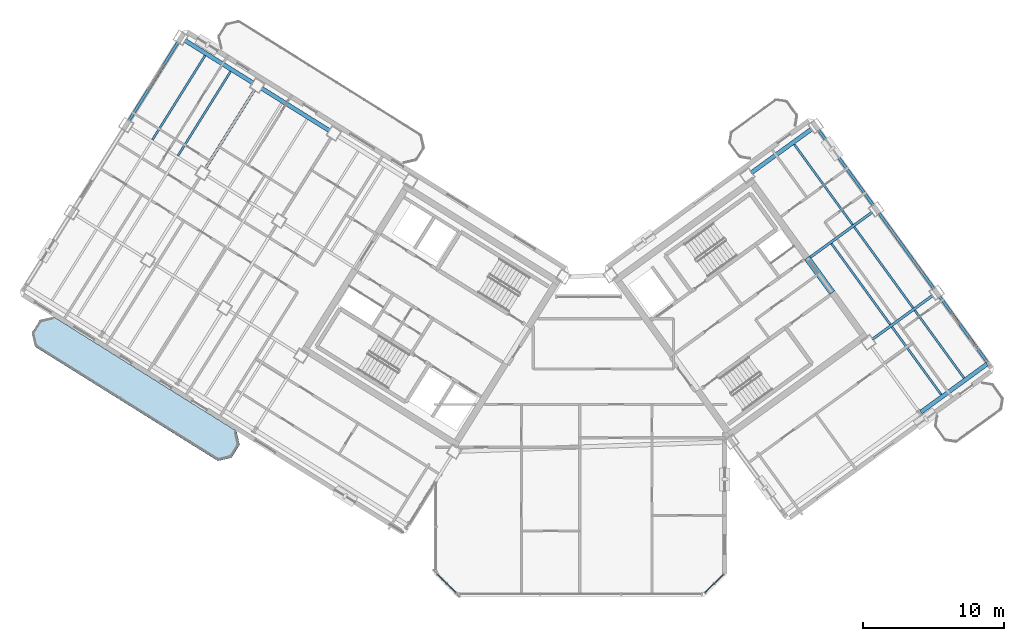
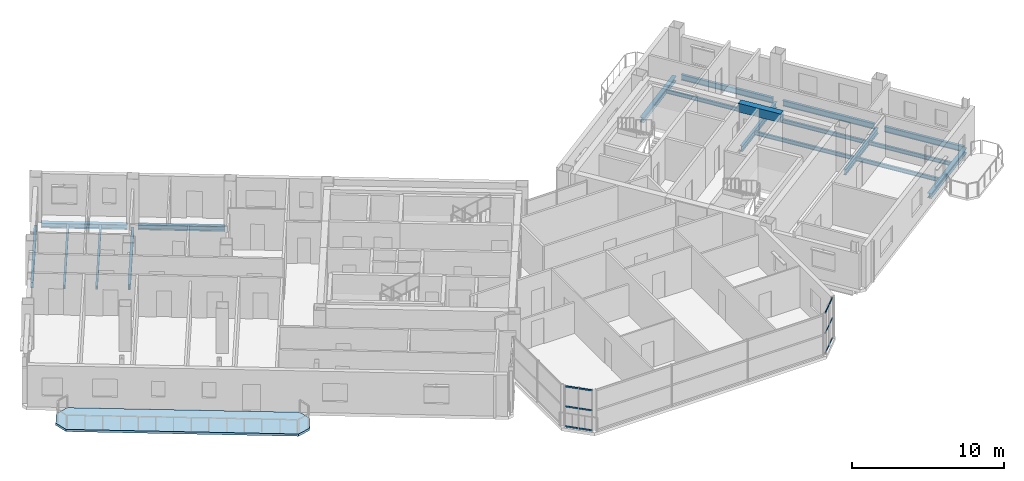
# One storey, part 13 of 27: 19 beams, 12 members, 1 slab, 2 elements without a shape of their own.
"""IFC4 building model written with IfcOpenShell, lengths in metres."""

from ifc_helpers import new_model, si_unit, direction, frame, origin, origin_2d, place, context, subcontext, project, spatial, polyline, rectangle, hollow_rectangle, i_section, outline, extrude, source, transform, mapped, material, layer, layer_set, material_profile, profile_set, type_object, element, aggregate, save


model = new_model("IFC4")

# Units and contexts
model_context = context("Model", 3, precision=1e-05, world=origin(), true_north=direction((0.0, 1.0)))
body_context = subcontext(model_context, "Body", "Model", "MODEL_VIEW")
ifc_project = project(units=[si_unit("LENGTHUNIT", "METRE"), si_unit("AREAUNIT", "SQUARE_METRE"), si_unit("VOLUMEUNIT", "CUBIC_METRE"), si_unit("PLANEANGLEUNIT", "RADIAN"), si_unit("MASSUNIT", "GRAM", prefix="KILO")], contexts=[model_context])

# Site, building, storey
site_placement = place(None, origin())
site = spatial("IfcSite", under=ifc_project, at=site_placement, CompositionType="ELEMENT")
building_placement = place(site_placement, origin())
building = spatial("IfcBuilding", under=site, at=building_placement, Name="Tlacorven Tower", CompositionType="ELEMENT")
storey_placement = place(building_placement, frame((0.0, 0.0, 242.10009765625)))
storey = spatial("IfcBuildingStorey", under=building, at=storey_placement, Name="L61", CompositionType="ELEMENT", Elevation=242.10009765625)

# Beams
ifc_material_1 = material(Name="Concrete C60/75", Category="concrete")
ifc_material_profile_1 = material_profile(ifc_material_1, rectangle(XDim=0.449951171875, YDim=0.699951171875, at=origin_2d()), Name="RC 450X700")
ifc_profile_set_1 = profile_set([ifc_material_profile_1], Name="Concrete C60/75")
beam_type_1 = type_object("IfcBeamType", Name="BM-LNT-700", PredefinedType="LINTEL", material=ifc_profile_set_1)
shared_shape_1 = source(origin(), body_context, "Body", "SweptSolid", [
    extrude(rectangle(XDim=0.449951171875, YDim=0.699951171875, at=origin_2d()), origin(), (0.0, 0.0, 1.0), 3.050048828125),
])
beam_1_placement = place(storey_placement, frame((59.856689453125, 23.345947265625, 2.969970703125), z_axis=(-0.587776590479, 0.80902328748, 0.0), x_axis=(-0.80902328748, -0.587776590479, 0.0)))
element("IfcBeam", 1, at=beam_1_placement, inside=storey, type_object=beam_type_1, Name="L61 E core coupling lintel beam E2", PredefinedType="LINTEL", context=body_context, shape_type="MappedRepresentation", body=[
    mapped(shared_shape_1, transform((0.0, 0.0, 0.0), scale=1.0)),
])
ifc_material_2 = material(Name="Steel S355J2", Category="steel")
ifc_material_profile_2 = material_profile(ifc_material_2, i_section(OverallWidth=0.300048828125, OverallDepth=0.389892578125, WebThickness=0.010986328125, FlangeThickness=0.01904296875, at=origin_2d()), Name="HEA 400")
ifc_profile_set_2 = profile_set([ifc_material_profile_2], Name="Steel S355J2")
beam_type_2 = type_object("IfcBeamType", Name="BM-SPN-400", PredefinedType="SPANDREL", material=ifc_profile_set_2)
shared_shape_2 = source(origin(), body_context, "Body", "SweptSolid", [
    extrude(i_section(OverallWidth=0.300048828125, OverallDepth=0.389892578125, WebThickness=0.010986328125, FlangeThickness=0.01904296875, at=origin_2d()), origin(), (0.0, 0.0, 1.0), 5.7001953125),
])
for number, where, z_axis, x_axis, name in (
    (2, (24.20361328125, 34.828369140625, -0.445068359375), (-0.848056048787, 0.529906537151, 0.0), (-0.529906537151, -0.848056048787, 0.0), "L61 beam BM-L61-WL1-4"),
    (3, (18.776123046875, 38.2197265625, -0.445068359375), (-0.848056048787, 0.529906537151, 0.0), (-0.529906537151, -0.848056048787, 0.0), "L61 beam BM-L61-WL1-5"),
):
    element("IfcBeam", number, at=place(storey_placement, frame(where, z_axis=z_axis, x_axis=x_axis)), inside=storey, type_object=beam_type_2, Name=name, PredefinedType="SPANDREL", context=body_context, shape_type="MappedRepresentation", body=[
        mapped(shared_shape_2, transform((0.0, 0.0, 0.0), scale=1.0)),
    ])
shared_shape_3 = source(origin(), body_context, "Body", "SweptSolid", [
    extrude(i_section(OverallWidth=0.300048828125, OverallDepth=0.389892578125, WebThickness=0.010986328125, FlangeThickness=0.01904296875, at=origin_2d()), origin(), (0.0, 0.0, 1.0), 5.300048828125),
])
beam_2_placement = place(storey_placement, frame((54.114990234375, 31.84423828125, -0.445068359375), z_axis=(0.809022830186, 0.587777219904, 0.0), x_axis=(-0.587777219904, 0.809022830186, 0.0)))
element("IfcBeam", 4, at=beam_2_placement, inside=storey, type_object=beam_type_2, Name="L61 beam BM-L61-EL4-3", PredefinedType="SPANDREL", context=body_context, shape_type="MappedRepresentation", body=[
    mapped(shared_shape_3, transform((0.0, 0.0, 0.0), scale=1.0)),
])
shared_shape_4 = source(origin(), body_context, "Body", "SweptSolid", [
    extrude(i_section(OverallWidth=0.300048828125, OverallDepth=0.389892578125, WebThickness=0.010986328125, FlangeThickness=0.01904296875, at=origin_2d()), origin(), (0.0, 0.0, 1.0), 5.800048828125),
])
beam_3_placement = place(storey_placement, frame((66.138671875, 14.86962890625, -0.445068359375), z_axis=(0.809019944521, 0.587781191743, 0.0), x_axis=(-0.587781191743, 0.809019944521, 0.0)))
element("IfcBeam", 5, at=beam_3_placement, inside=storey, type_object=beam_type_2, Name="L61 beam BM-L61-EL1-3", PredefinedType="SPANDREL", context=body_context, shape_type="MappedRepresentation", body=[
    mapped(shared_shape_4, transform((0.0, 0.0, 0.0), scale=1.0)),
])
ifc_material_profile_3 = material_profile(ifc_material_2, i_section(OverallWidth=0.14990234375, OverallDepth=0.300048828125, WebThickness=0.007080078125, FlangeThickness=0.0107421875, at=origin_2d()), Name="IPE 300")
ifc_profile_set_3 = profile_set([ifc_material_profile_3], Name="Steel S355J2")
beam_type_3 = type_object("IfcBeamType", Name="BM-JST-300", PredefinedType="JOIST", material=ifc_profile_set_3)
shared_shape_5 = source(origin(), body_context, "Body", "SweptSolid", [
    extrude(i_section(OverallWidth=0.14990234375, OverallDepth=0.300048828125, WebThickness=0.007080078125, FlangeThickness=0.0107421875, at=origin_2d()), origin(), (0.0, 0.0, 1.0), 7.10009765625),
])
for number, where, z_axis, x_axis, name in (
    (6, (63.972900390625, 21.083251953125, -0.400146484375), (-0.587783168305, 0.809018508476, 0.0), (-0.809018508476, -0.587783168305, 0.0), "L61 beam BM-L61-EJ3-2-1"),
    (7, (65.5908203125, 22.2587890625, -0.400146484375), (-0.587760662035, 0.809034859672, 0.0), (-0.809034859672, -0.587760662035, 0.0), "L61 beam BM-L61-EJ3-2-2"),
):
    element("IfcBeam", number, at=place(storey_placement, frame(where, z_axis=z_axis, x_axis=x_axis)), inside=storey, type_object=beam_type_3, Name=name, PredefinedType="JOIST", context=body_context, shape_type="MappedRepresentation", body=[
        mapped(shared_shape_5, transform((0.0, 0.0, 0.0), scale=1.0)),
    ])
ifc_material_profile_4 = material_profile(ifc_material_2, i_section(OverallWidth=0.18994140625, OverallDepth=0.449951171875, WebThickness=0.009521484375, FlangeThickness=0.0146484375, at=origin_2d()), Name="IPE 450")
ifc_profile_set_4 = profile_set([ifc_material_profile_4], Name="Steel S355J2")
beam_type_4 = type_object("IfcBeamType", Name="BM-TWR-450", PredefinedType="BEAM", material=ifc_profile_set_4)
shared_shape_6 = source(origin(), body_context, "Body", "SweptSolid", [
    extrude(i_section(OverallWidth=0.18994140625, OverallDepth=0.449951171875, WebThickness=0.009521484375, FlangeThickness=0.0146484375, at=origin_2d()), origin(), (0.0, 0.0, 1.0), 5.75),
])
beam_4_placement = place(storey_placement, frame((70.853271484375, 18.41845703125, -0.47509765625), z_axis=(-0.587797998499, 0.80900773356, 0.0), x_axis=(-0.80900773356, -0.587797998499, 0.0)))
element("IfcBeam", 8, at=beam_4_placement, inside=storey, type_object=beam_type_4, Name="L61 beam BM-L61-ET4-1", PredefinedType="BEAM", context=body_context, shape_type="MappedRepresentation", body=[
    mapped(shared_shape_6, transform((0.0, 0.0, 0.0), scale=1.0)),
])
shared_shape_7 = source(origin(), body_context, "Body", "SweptSolid", [
    extrude(i_section(OverallWidth=0.18994140625, OverallDepth=0.449951171875, WebThickness=0.009521484375, FlangeThickness=0.0146484375, at=origin_2d()), origin(), (0.0, 0.0, 1.0), 6.599853515625),
])
beam_5_placement = place(storey_placement, frame((13.4599609375, 41.12890625, -0.47509765625), z_axis=(-0.529942412256, -0.848033631227, 0.0), x_axis=(0.848033631227, -0.529942412256, 0.0)))
element("IfcBeam", 9, at=beam_5_placement, inside=storey, type_object=beam_type_4, Name="L61 beam BM-L61-WT6-1", PredefinedType="BEAM", context=body_context, shape_type="MappedRepresentation", body=[
    mapped(shared_shape_7, transform((0.0, 0.0, 0.0), scale=1.0)),
])
shared_shape_8 = source(origin(), body_context, "Body", "SweptSolid", [
    extrude(i_section(OverallWidth=0.18994140625, OverallDepth=0.449951171875, WebThickness=0.009521484375, FlangeThickness=0.0146484375, at=origin_2d()), origin(), (0.0, 0.0, 1.0), 6.60009765625),
])
for number, where, z_axis, x_axis, name in (
    (10, (18.887451171875, 37.737548828125, -0.47509765625), (-0.529925788294, -0.848044019436, 0.0), (0.848044019436, -0.529925788294, 0.0), "L61 beam BM-L61-WT5-1"),
    (11, (67.06201171875, 23.63671875, -0.47509765625), (-0.587780128583, 0.809020716943, 0.0), (-0.809020716943, -0.587780128583, 0.0), "L61 beam BM-L61-ET4-2"),
    (12, (62.771240234375, 29.54248046875, -0.47509765625), (-0.587780128583, 0.809020716943, 0.0), (-0.809020716943, -0.587780128583, 0.0), "L61 beam BM-L61-ET4-3"),
):
    element("IfcBeam", number, at=place(storey_placement, frame(where, z_axis=z_axis, x_axis=x_axis)), inside=storey, type_object=beam_type_4, Name=name, PredefinedType="BEAM", context=body_context, shape_type="MappedRepresentation", body=[
        mapped(shared_shape_8, transform((0.0, 0.0, 0.0), scale=1.0)),
    ])
shared_shape_9 = source(origin(), body_context, "Body", "SweptSolid", [
    extrude(i_section(OverallWidth=0.14990234375, OverallDepth=0.300048828125, WebThickness=0.007080078125, FlangeThickness=0.0107421875, at=origin_2d()), origin(), (0.0, 0.0, 1.0), 7.044921875),
])
for number, where, z_axis, x_axis, name in (
    (13, (17.181640625, 39.033447265625, -0.400146484375), (-0.529899256491, -0.848060598053, 0.0), (0.848060598053, -0.529899256491, 0.0), "L61 beam BM-L61-WJ5-1-1"),
    (14, (15.372314453125, 40.163818359375, -0.400146484375), (-0.52991483005, -0.848050866925, 0.0), (0.848050866925, -0.52991483005, 0.0), "L61 beam BM-L61-WJ5-1-2"),
    (15, (61.300048828125, 28.164794921875, -0.400146484375), (-0.587782183052, 0.8090192243, 0.0), (-0.8090192243, -0.587782183052, 0.0), "L61 beam BM-L61-EJ3-3-2"),
):
    element("IfcBeam", number, at=place(storey_placement, frame(where, z_axis=z_axis, x_axis=x_axis)), inside=storey, type_object=beam_type_3, Name=name, PredefinedType="JOIST", context=body_context, shape_type="MappedRepresentation", body=[
        mapped(shared_shape_9, transform((0.0, 0.0, 0.0), scale=1.0)),
    ])
shared_shape_10 = source(origin(), body_context, "Body", "SweptSolid", [
    extrude(i_section(OverallWidth=0.14990234375, OverallDepth=0.300048828125, WebThickness=0.007080078125, FlangeThickness=0.0107421875, at=origin_2d()), origin(), (0.0, 0.0, 1.0), 5.945068359375),
])
for number, where, z_axis, x_axis, name in (
    (16, (67.584716796875, 16.11181640625, -0.400146484375), (-0.587788268014, 0.809014803317, 0.0), (-0.809014803317, -0.587788268014, 0.0), "L61 beam BM-L61-EJ3-1-1"),
    (17, (69.202880859375, 17.287353515625, -0.400146484375), (-0.587768740048, 0.809028990965, 0.0), (-0.809028990965, -0.587768740048, 0.0), "L61 beam BM-L61-EJ3-1-2"),
):
    element("IfcBeam", number, at=place(storey_placement, frame(where, z_axis=z_axis, x_axis=x_axis)), inside=storey, type_object=beam_type_3, Name=name, PredefinedType="JOIST", context=body_context, shape_type="MappedRepresentation", body=[
        mapped(shared_shape_10, transform((0.0, 0.0, 0.0), scale=1.0)),
    ])
shared_shape_11 = source(origin(), body_context, "Body", "SweptSolid", [
    extrude(i_section(OverallWidth=0.18994140625, OverallDepth=0.449951171875, WebThickness=0.009521484375, FlangeThickness=0.0146484375, at=origin_2d()), origin(), (0.0, 0.0, 1.0), 5.300048828125),
])
beam_6_placement = place(storey_placement, frame((62.69677734375, 20.032470703125, -0.47509765625), z_axis=(0.809022830186, 0.587777219904, 0.0), x_axis=(-0.587777219904, 0.809022830186, 0.0)))
element("IfcBeam", 18, at=beam_6_placement, inside=storey, type_object=beam_type_4, Name="L61 beam BM-L61-EL2-3", PredefinedType="BEAM", context=body_context, shape_type="MappedRepresentation", body=[
    mapped(shared_shape_11, transform((0.0, 0.0, 0.0), scale=1.0)),
])
shared_shape_12 = source(origin(), body_context, "Body", "SweptSolid", [
    extrude(i_section(OverallWidth=0.18994140625, OverallDepth=0.449951171875, WebThickness=0.009521484375, FlangeThickness=0.0146484375, at=origin_2d()), origin(), (0.0, 0.0, 1.0), 5.6103515625),
])
beam_7_placement = place(storey_placement, frame((58.155029296875, 25.756103515625, -0.47509765625), z_axis=(0.809020142627, 0.587780919071, 0.0), x_axis=(-0.587780919071, 0.809020142627, 0.0)))
element("IfcBeam", 19, at=beam_7_placement, inside=storey, type_object=beam_type_4, Name="L61 beam BM-L61-EL3-3", PredefinedType="BEAM", context=body_context, shape_type="MappedRepresentation", body=[
    mapped(shared_shape_12, transform((0.0, 0.0, 0.0), scale=1.0)),
])

# Curtain wall, members
ifc_material_3 = material(Name="Dark solar low-E double glazing in aluminium frame", Category="aluminium")
curtain_wall_type = type_object("IfcCurtainWallType", Name="CW-TWR-HIGH", PredefinedType="USERDEFINED", material=ifc_material_3)
curtain_wall_1_placement = place(storey_placement, origin())
curtain_wall_1 = element("IfcCurtainWall", 20, at=curtain_wall_1_placement, inside=storey, type_object=curtain_wall_type, Name="L61 CW-TWR-HIGH Curtain Wall 278", ObjectType="UNITISED CURTAIN WALL", PredefinedType="USERDEFINED")
ifc_material_4 = material(Name="Aluminium 6063-T6 anodised", Category="aluminium")
ifc_material_profile_5 = material_profile(ifc_material_4, hollow_rectangle(XDim=0.054931640625, YDim=0.1201171875, WallThickness=0.00341796875, at=origin_2d()), Name="ALU TRANSOM 55X120")
ifc_profile_set_5 = profile_set([ifc_material_profile_5], Name="Aluminium 6063-T6 anodised")
member_type = type_object("IfcMemberType", Name="CWT-03", PredefinedType="USERDEFINED", material=ifc_profile_set_5)
shared_shape_13 = source(origin(), body_context, "Body", "SweptSolid", [
    extrude(hollow_rectangle(XDim=0.054931640625, YDim=0.1201171875, WallThickness=0.00341796875, at=origin_2d()), origin(), (0.0, 0.0, 1.0), 0.899169921875),
])
member_1_placement = place(storey_placement, frame((52.13525390625, 3.361572265625, 0.059814453125), z_axis=(-0.707106781187, -0.707106781187, 0.0), x_axis=(0.707106781187, -0.707106781187, 0.0)))
member_1 = element("IfcMember", 21, at=member_1_placement, type_object=member_type, Name="CW-L61-278 Transom 1", ObjectType="TRANSOM", PredefinedType="USERDEFINED", context=body_context, shape_type="MappedRepresentation", body=[
    mapped(shared_shape_13, transform((0.0, 0.0, 0.0), scale=1.0)),
])
member_2_placement = place(storey_placement, frame((52.13525390625, 3.361572265625, 1.659912109375), z_axis=(-0.707106781187, -0.707106781187, 0.0), x_axis=(0.707106781187, -0.707106781187, 0.0)))
member_2 = element("IfcMember", 22, at=member_2_placement, type_object=member_type, Name="CW-L61-278 Transom 2", ObjectType="TRANSOM", PredefinedType="USERDEFINED", context=body_context, shape_type="MappedRepresentation", body=[
    mapped(shared_shape_13, transform((0.0, 0.0, 0.0), scale=1.0)),
])
member_3_placement = place(storey_placement, frame((52.13525390625, 3.361572265625, 3.260009765625), z_axis=(-0.707106781187, -0.707106781187, 0.0), x_axis=(0.707106781187, -0.707106781187, 0.0)))
member_3 = element("IfcMember", 23, at=member_3_placement, type_object=member_type, Name="CW-L61-278 Transom 3", ObjectType="TRANSOM", PredefinedType="USERDEFINED", context=body_context, shape_type="MappedRepresentation", body=[
    mapped(shared_shape_13, transform((0.0, 0.0, 0.0), scale=1.0)),
])
member_4_placement = place(storey_placement, frame((51.47412109375, 2.700439453125, 0.059814453125), z_axis=(-0.707106781187, -0.707106781187, 0.0), x_axis=(0.707106781187, -0.707106781187, 0.0)))
member_4 = element("IfcMember", 24, at=member_4_placement, type_object=member_type, Name="CW-L61-278 Transom 4", ObjectType="TRANSOM", PredefinedType="USERDEFINED", context=body_context, shape_type="MappedRepresentation", body=[
    mapped(shared_shape_13, transform((0.0, 0.0, 0.0), scale=1.0)),
])
member_5_placement = place(storey_placement, frame((51.47412109375, 2.700439453125, 1.659912109375), z_axis=(-0.707106781187, -0.707106781187, 0.0), x_axis=(0.707106781187, -0.707106781187, 0.0)))
member_5 = element("IfcMember", 25, at=member_5_placement, type_object=member_type, Name="CW-L61-278 Transom 5", ObjectType="TRANSOM", PredefinedType="USERDEFINED", context=body_context, shape_type="MappedRepresentation", body=[
    mapped(shared_shape_13, transform((0.0, 0.0, 0.0), scale=1.0)),
])
member_6_placement = place(storey_placement, frame((51.47412109375, 2.700439453125, 3.260009765625), z_axis=(-0.707106781187, -0.707106781187, 0.0), x_axis=(0.707106781187, -0.707106781187, 0.0)))
member_6 = element("IfcMember", 26, at=member_6_placement, type_object=member_type, Name="CW-L61-278 Transom 6", ObjectType="TRANSOM", PredefinedType="USERDEFINED", context=body_context, shape_type="MappedRepresentation", body=[
    mapped(shared_shape_13, transform((0.0, 0.0, 0.0), scale=1.0)),
])
aggregate(curtain_wall_1, [member_1, member_2, member_3, member_4, member_5, member_6])

curtain_wall_2_placement = place(storey_placement, origin())
curtain_wall_2 = element("IfcCurtainWall", 27, at=curtain_wall_2_placement, inside=storey, type_object=curtain_wall_type, Name="L61 CW-TWR-HIGH Curtain Wall 280", ObjectType="UNITISED CURTAIN WALL", PredefinedType="USERDEFINED")
member_7_placement = place(storey_placement, frame((33.16162109375, 2.064697265625, 0.059814453125), z_axis=(-0.707106781187, 0.707106781187, 0.0), x_axis=(-0.707106781187, -0.707106781187, 0.0)))
member_7 = element("IfcMember", 28, at=member_7_placement, type_object=member_type, Name="CW-L61-280 Transom 1", ObjectType="TRANSOM", PredefinedType="USERDEFINED", context=body_context, shape_type="MappedRepresentation", body=[
    mapped(shared_shape_13, transform((0.0, 0.0, 0.0), scale=1.0)),
])
member_8_placement = place(storey_placement, frame((33.16162109375, 2.064697265625, 1.659912109375), z_axis=(-0.707106781187, 0.707106781187, 0.0), x_axis=(-0.707106781187, -0.707106781187, 0.0)))
member_8 = element("IfcMember", 29, at=member_8_placement, type_object=member_type, Name="CW-L61-280 Transom 2", ObjectType="TRANSOM", PredefinedType="USERDEFINED", context=body_context, shape_type="MappedRepresentation", body=[
    mapped(shared_shape_13, transform((0.0, 0.0, 0.0), scale=1.0)),
])
member_9_placement = place(storey_placement, frame((33.16162109375, 2.064697265625, 3.260009765625), z_axis=(-0.707106781187, 0.707106781187, 0.0), x_axis=(-0.707106781187, -0.707106781187, 0.0)))
member_9 = element("IfcMember", 30, at=member_9_placement, type_object=member_type, Name="CW-L61-280 Transom 3", ObjectType="TRANSOM", PredefinedType="USERDEFINED", context=body_context, shape_type="MappedRepresentation", body=[
    mapped(shared_shape_13, transform((0.0, 0.0, 0.0), scale=1.0)),
])
member_10_placement = place(storey_placement, frame((32.50048828125, 2.725830078125, 0.059814453125), z_axis=(-0.707106781187, 0.707106781187, 0.0), x_axis=(-0.707106781187, -0.707106781187, 0.0)))
member_10 = element("IfcMember", 31, at=member_10_placement, type_object=member_type, Name="CW-L61-280 Transom 4", ObjectType="TRANSOM", PredefinedType="USERDEFINED", context=body_context, shape_type="MappedRepresentation", body=[
    mapped(shared_shape_13, transform((0.0, 0.0, 0.0), scale=1.0)),
])
member_11_placement = place(storey_placement, frame((32.50048828125, 2.725830078125, 1.659912109375), z_axis=(-0.707106781187, 0.707106781187, 0.0), x_axis=(-0.707106781187, -0.707106781187, 0.0)))
member_11 = element("IfcMember", 32, at=member_11_placement, type_object=member_type, Name="CW-L61-280 Transom 5", ObjectType="TRANSOM", PredefinedType="USERDEFINED", context=body_context, shape_type="MappedRepresentation", body=[
    mapped(shared_shape_13, transform((0.0, 0.0, 0.0), scale=1.0)),
])
member_12_placement = place(storey_placement, frame((32.50048828125, 2.725830078125, 3.260009765625), z_axis=(-0.707106781187, 0.707106781187, 0.0), x_axis=(-0.707106781187, -0.707106781187, 0.0)))
member_12 = element("IfcMember", 33, at=member_12_placement, type_object=member_type, Name="CW-L61-280 Transom 6", ObjectType="TRANSOM", PredefinedType="USERDEFINED", context=body_context, shape_type="MappedRepresentation", body=[
    mapped(shared_shape_13, transform((0.0, 0.0, 0.0), scale=1.0)),
])
aggregate(curtain_wall_2, [member_7, member_8, member_9, member_10, member_11, member_12])

# Slab
ifc_material_5 = material(Name="Precast concrete C45/55", Category="concrete")
ifc_layer = layer(ifc_material_5, 0.179931640625)
ifc_layer_set = layer_set([ifc_layer], Name="Precast concrete C45/55")
slab_type = type_object("IfcSlabType", Name="SL-BAL-180", PredefinedType="USERDEFINED", material=ifc_layer_set)
slab_placement = place(storey_placement, frame((0.0, 0.0, -0.18017578125)))
element("IfcSlab", 34, at=slab_placement, inside=storey, type_object=slab_type, Name="L61 West Wing Balcony Ribbon OUT", ObjectType="BALCONY SLAB", PredefinedType="USERDEFINED", context=body_context, shape_type="SweptSolid", body=[
    extrude(outline(polyline([(17.601318359375, 13.52490234375), (4.626220703125, 21.632568359375), (3.66162109375, 21.409912109375), (3.081298828125, 20.4814453125), (3.303955078125, 19.516845703125), (16.279052734375, 11.408935546875), (17.24365234375, 11.6318359375), (17.823974609375, 12.560302734375), (17.601318359375, 13.52490234375)])), origin(), (0.0, 0.0, 1.0), 0.18017578125),
])

save(model, "model.ifc")
